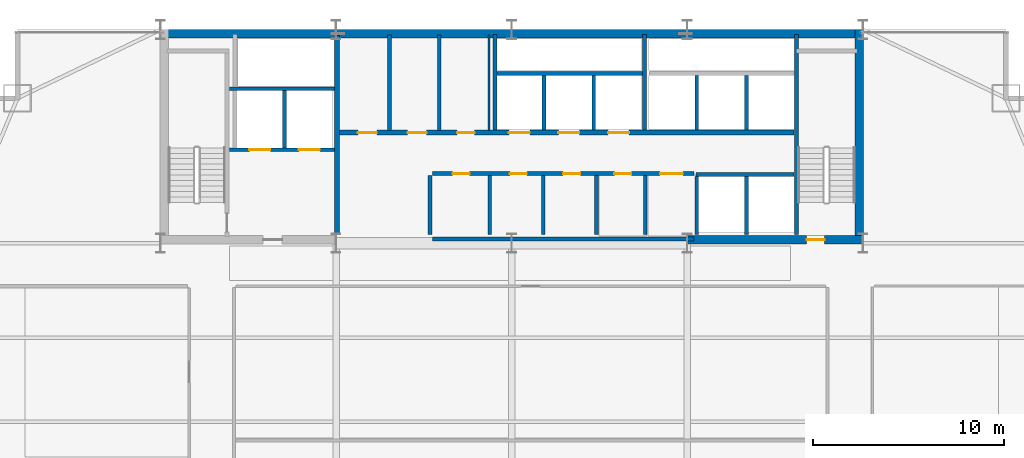
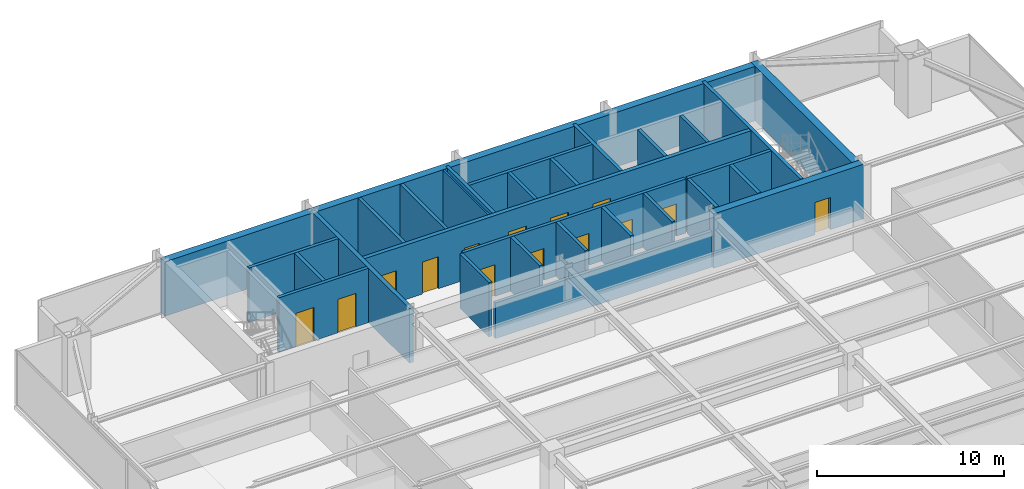
# One storey, part 33 of 36: 29 walls, 14 doors, 14 openings.
"""IFC4 building model written with IfcOpenShell, lengths in metres."""

from ifc_helpers import new_model, si_unit, direction, frame, frame_2d, origin, place, context, subcontext, project, spatial, rectangle, extrude, source, transform, mapped, material, layer, layer_set, type_object, type_shapes, element, fill, save


model = new_model("IFC4")

# Units and contexts
model_context = context("Model", 3, precision=1e-05, world=origin(), true_north=direction((0.0, 1.0)))
body_context = subcontext(model_context, "Body", "Model", "MODEL_VIEW")
ifc_project = project(units=[si_unit("LENGTHUNIT", "METRE"), si_unit("AREAUNIT", "SQUARE_METRE"), si_unit("VOLUMEUNIT", "CUBIC_METRE"), si_unit("PLANEANGLEUNIT", "RADIAN"), si_unit("MASSUNIT", "GRAM", prefix="KILO")], contexts=[model_context])

# Site, building, storey
site_placement = place(None, origin())
site = spatial("IfcSite", under=ifc_project, at=site_placement, CompositionType="ELEMENT")
building_placement = place(site_placement, origin())
building = spatial("IfcBuilding", under=site, at=building_placement, Name="Varnel Quay Broadcast Tower", CompositionType="ELEMENT")
storey_placement = place(building_placement, frame((0.0, 0.0, 114.39990234375)))
storey = spatial("IfcBuildingStorey", under=building, at=storey_placement, Name="L27", CompositionType="ELEMENT", Elevation=114.39990234375)

# Wall, openings, doors
ifc_material_1 = material(Name="Concrete CSA A23.3 C50/60", Category="concrete")
ifc_layer_1 = layer(ifc_material_1, 0.199951171875, Name="Concrete CSA A23.3 C50/60")
ifc_layer_set_1 = layer_set([ifc_layer_1], Name="Concrete CSA A23.3 C50/60")
wall_type_1 = type_object("IfcWallType", Name="Wall_CoreShaftShear200", PredefinedType="SHEAR", material=ifc_layer_set_1)
wall_1_placement = place(storey_placement, frame((19.199951171875, 40.5, 0.0), z_axis=(0.0, 0.0, 1.0), x_axis=(1.0, 0.0, 0.0)))
wall_1 = element("IfcWall", 1, at=wall_1_placement, inside=storey, type_object=wall_type_1, Name="L27 Firefighter Lift Shaft Front Wall", PredefinedType="SHEAR", context=body_context, shape_type="SweptSolid", body=[
    extrude(rectangle(XDim=5.52001953125, YDim=0.199951171875, at=frame_2d((2.760009765625, 0.0))), origin(), (0.0, 0.0, 1.0), 3.550048828125),
])
opening_1_placement = place(wall_1_placement, frame((1.050048828125, 0.0, 0.0)))
opening_1 = element("IfcOpeningElement", 2, at=opening_1_placement, cuts=wall_1, Name="Opening LD-L27-FE1", PredefinedType="OPENING", context=body_context, shape_type="SweptSolid", body=[
    extrude(rectangle(XDim=1.10009765625, YDim=2.179931640625, at=frame_2d((0.550048828125, 1.08984375))), frame((0.0, 0.10986328125, 0.0), z_axis=(0.0, -1.0, 0.0), x_axis=(1.0, 0.0, 0.0)), (0.0, 0.0, 1.0), 0.219970703125),
])
opening_2_placement = place(wall_1_placement, frame((3.64990234375, 0.0, 0.0)))
opening_2 = element("IfcOpeningElement", 3, at=opening_2_placement, cuts=wall_1, Name="Opening LD-L27-FE2", PredefinedType="OPENING", context=body_context, shape_type="SweptSolid", body=[
    extrude(rectangle(XDim=1.10009765625, YDim=2.179931640625, at=frame_2d((0.550048828125, 1.08984375))), frame((0.0, 0.10986328125, 0.0), z_axis=(0.0, -1.0, 0.0), x_axis=(1.0, 0.0, 0.0)), (0.0, 0.0, 1.0), 0.219970703125),
])
ifc_material_2 = material(Name="Brushed Bronze-Stainless Lift Car & Sliding Doors", Category="steel")
door_type_1 = type_object("IfcDoorType", Name="Door_LiftLanding1100", OperationType="SLIDING_TO_LEFT", PredefinedType="DOOR", material=ifc_material_2)
shared_shape_1 = source(origin(), body_context, "Body", "SweptSolid", [
    extrude(rectangle(XDim=1.10009765625, YDim=2.179931640625, at=frame_2d((0.550048828125, 1.08984375))), frame((0.0, 0.02490234375, 0.0), z_axis=(0.0, -1.0, 0.0), x_axis=(1.0, 0.0, 0.0)), (0.0, 0.0, 1.0), 0.050048828125),
])
type_shapes(door_type_1, [shared_shape_1])
door_1_placement = place(opening_1_placement, frame((1.10009765625, 0.0, 0.0), z_axis=(0.0, 0.0, 1.0), x_axis=(-1.0, 0.0, 0.0)))
door_1 = element("IfcDoor", 4, at=door_1_placement, inside=storey, type_object=door_type_1, Name="L27 Firefighter Lift FE-01 Landing Door", OperationType="SLIDING_TO_LEFT", OverallHeight=2.179931640625, OverallWidth=1.10009765625, PredefinedType="DOOR", context=body_context, shape_type="MappedRepresentation", body=[
    mapped(shared_shape_1, transform((0.0, 0.0, 0.0), x_axis=(1.0, 0.0, 0.0), y_axis=(0.0, 1.0, 0.0), z_axis=(0.0, 0.0, 1.0), scale=1.0)),
])
fill(opening_1, door_1)
door_2_placement = place(opening_2_placement, frame((1.10009765625, 0.0, 0.0), z_axis=(0.0, 0.0, 1.0), x_axis=(-1.0, 0.0, 0.0)))
door_2 = element("IfcDoor", 5, at=door_2_placement, inside=storey, type_object=door_type_1, Name="L27 Firefighter Lift FE-02 Landing Door", OperationType="SLIDING_TO_RIGHT", OverallHeight=2.179931640625, OverallWidth=1.10009765625, PredefinedType="DOOR", context=body_context, shape_type="MappedRepresentation", body=[
    mapped(shared_shape_1, transform((0.0, 0.0, 0.0), x_axis=(1.0, 0.0, 0.0), y_axis=(0.0, 1.0, 0.0), z_axis=(0.0, 0.0, 1.0), scale=1.0)),
])
fill(opening_2, door_2)

# Walls
wall_2_placement = place(storey_placement, frame((19.199951171875, 43.699951171875, 0.0), z_axis=(0.0, 0.0, 1.0), x_axis=(1.0, 0.0, 0.0)))
element("IfcWall", 6, at=wall_2_placement, inside=storey, type_object=wall_type_1, Name="L27 Firefighter Lift Shaft Rear Wall", PredefinedType="SHEAR", context=body_context, shape_type="SweptSolid", body=[
    extrude(rectangle(XDim=5.52001953125, YDim=0.199951171875, at=frame_2d((2.760009765625, 0.0))), origin(), (0.0, 0.0, 1.0), 3.550048828125),
])
wall_3_placement = place(storey_placement, frame((22.10009765625, 40.60009765625, 0.0), z_axis=(0.0, 0.0, 1.0), x_axis=(0.0, 1.0, 0.0)))
element("IfcWall", 7, at=wall_3_placement, inside=storey, type_object=wall_type_1, Name="L27 Firefighter Lift Shaft Divider", PredefinedType="SHEAR", context=body_context, shape_type="SweptSolid", body=[
    extrude(rectangle(XDim=3.0, YDim=0.199951171875, at=frame_2d((1.5, 0.0))), origin(), (0.0, 0.0, 1.0), 3.550048828125),
])
wall_4_placement = place(storey_placement, frame((48.919921875, 36.050048828125, 0.0), z_axis=(0.0, 0.0, 1.0), x_axis=(0.0, 1.0, 0.0)))
element("IfcWall", 8, at=wall_4_placement, inside=storey, type_object=wall_type_1, Name="L27 Stair 2 West Structural Wall", PredefinedType="SHEAR", context=body_context, shape_type="SweptSolid", body=[
    extrude(rectangle(XDim=10.5, YDim=0.199951171875, at=frame_2d((5.25, 0.0))), origin(), (0.0, 0.0, 1.0), 3.550048828125),
])
wall_5_placement = place(storey_placement, frame((33.219970703125, 44.5, 0.0), z_axis=(0.0, 0.0, 1.0), x_axis=(1.0, 0.0, 0.0)))
element("IfcWall", 9, at=wall_5_placement, inside=storey, type_object=wall_type_1, Name="L27 Mid-Rise Lift Shaft Rear Wall", PredefinedType="SHEAR", context=body_context, shape_type="SweptSolid", body=[
    extrude(rectangle(XDim=7.630126953125, YDim=0.199951171875, at=frame_2d((3.81494140625, 0.0))), origin(), (0.0, 0.0, 1.0), 3.550048828125),
])
wall_6_placement = place(storey_placement, frame((33.1201171875, 41.530029296875, 0.0), z_axis=(0.0, 0.0, 1.0), x_axis=(0.0, 1.0, 0.0)))
element("IfcWall", 10, at=wall_6_placement, inside=storey, type_object=wall_type_1, Name="L27 Mid-Rise Lift Shaft Divider 1", PredefinedType="SHEAR", context=body_context, shape_type="SweptSolid", body=[
    extrude(rectangle(XDim=5.02001953125, YDim=0.199951171875, at=frame_2d((2.510009765625, 0.0))), origin(), (0.0, 0.0, 1.0), 3.550048828125),
])
for number, where, z_axis, x_axis, name in (
    (11, (35.699951171875, 41.530029296875, 0.0), (0.0, 0.0, 1.0), (0.0, 1.0, 0.0), "L27 Mid-Rise Lift Shaft Divider 2"),
    (12, (38.300048828125, 41.530029296875, 0.0), (0.0, 0.0, 1.0), (0.0, 1.0, 0.0), "L27 Mid-Rise Lift Shaft Divider 3"),
):
    element("IfcWall", number, at=place(storey_placement, frame(where, z_axis=z_axis, x_axis=x_axis)), inside=storey, type_object=wall_type_1, Name=name, PredefinedType="SHEAR", context=body_context, shape_type="SweptSolid", body=[
        extrude(rectangle(XDim=2.869873046875, YDim=0.199951171875, at=frame_2d((1.43505859375, 0.0))), origin(), (0.0, 0.0, 1.0), 3.550048828125),
    ])
wall_7_placement = place(storey_placement, frame((40.949951171875, 41.530029296875, 0.0), z_axis=(0.0, 0.0, 1.0), x_axis=(0.0, 1.0, 0.0)))
element("IfcWall", 13, at=wall_7_placement, inside=storey, type_object=wall_type_1, Name="L27 Mid-Rise Lift Shaft Divider 4", PredefinedType="SHEAR", context=body_context, shape_type="SweptSolid", body=[
    extrude(rectangle(XDim=5.02001953125, YDim=0.199951171875, at=frame_2d((2.510009765625, 0.0))), origin(), (0.0, 0.0, 1.0), 3.550048828125),
])
for number, where, z_axis, x_axis, name in (
    (14, (43.699951171875, 41.530029296875, 0.0), (0.0, 0.0, 1.0), (0.0, 1.0, 0.0), "L27 High-Rise Lift Shaft Divider 2"),
    (15, (46.300048828125, 41.530029296875, 0.0), (0.0, 0.0, 1.0), (0.0, 1.0, 0.0), "L27 High-Rise Lift Shaft Divider 3"),
):
    element("IfcWall", number, at=place(storey_placement, frame(where, z_axis=z_axis, x_axis=x_axis)), inside=storey, type_object=wall_type_1, Name=name, PredefinedType="SHEAR", context=body_context, shape_type="SweptSolid", body=[
        extrude(rectangle(XDim=2.869873046875, YDim=0.199951171875, at=frame_2d((1.43505859375, 0.0))), origin(), (0.0, 0.0, 1.0), 3.550048828125),
    ])
for number, where, z_axis, x_axis, name in (
    (16, (43.699951171875, 36.050048828125, 0.0), (0.0, 0.0, 1.0), (0.0, 1.0, 0.0), "L27 Express Lift Shaft West Wall"),
    (17, (46.300048828125, 36.050048828125, 0.0), (0.0, 0.0, 1.0), (0.0, 1.0, 0.0), "L27 Express Lift Shaft Divider"),
):
    element("IfcWall", number, at=place(storey_placement, frame(where, z_axis=z_axis, x_axis=x_axis)), inside=storey, type_object=wall_type_1, Name=name, PredefinedType="SHEAR", context=body_context, shape_type="SweptSolid", body=[
        extrude(rectangle(XDim=3.050048828125, YDim=0.199951171875, at=frame_2d((1.52490234375, 0.0))), origin(), (0.0, 0.0, 1.0), 3.550048828125),
    ])
wall_8_placement = place(storey_placement, frame((43.64990234375, 39.199951171875, 0.0), z_axis=(0.0, 0.0, 1.0), x_axis=(1.0, 0.0, 0.0)))
element("IfcWall", 18, at=wall_8_placement, inside=storey, type_object=wall_type_1, Name="L27 Express Lift Shaft North Front Wall", PredefinedType="SHEAR", context=body_context, shape_type="SweptSolid", body=[
    extrude(rectangle(XDim=5.150146484375, YDim=0.199951171875, at=frame_2d((2.5751953125, 0.0))), origin(), (0.0, 0.0, 1.0), 3.550048828125),
])
ifc_layer_2 = layer(ifc_material_1, 0.25, Name="Concrete CSA A23.3 C50/60")
ifc_layer_set_2 = layer_set([ifc_layer_2], Name="Concrete CSA A23.3 C50/60")
wall_type_2 = type_object("IfcWallType", Name="Wall_CoreShaftShear250", PredefinedType="SHEAR", material=ifc_layer_set_2)
wall_9_placement = place(storey_placement, frame((24.85009765625, 36.050048828125, 0.0), z_axis=(0.0, 0.0, 1.0), x_axis=(0.0, 1.0, 0.0)))
element("IfcWall", 19, at=wall_9_placement, inside=storey, type_object=wall_type_2, Name="L27 Firefighting Lobby East Structural Wall", PredefinedType="SHEAR", context=body_context, shape_type="SweptSolid", body=[
    extrude(rectangle(XDim=10.449951171875, YDim=0.25, at=frame_2d((5.22509765625, 0.0))), origin(), (0.0, 0.0, 1.0), 3.550048828125),
])

# Wall, openings, doors
wall_10_placement = place(storey_placement, frame((24.97998046875, 41.39990234375, 0.0), z_axis=(0.0, 0.0, 1.0), x_axis=(1.0, 0.0, 0.0)))
wall_10 = element("IfcWall", 20, at=wall_10_placement, inside=storey, type_object=wall_type_2, Name="L27 North Lift Bank & Reclaimed Suite Wall", PredefinedType="SHEAR", context=body_context, shape_type="SweptSolid", body=[
    extrude(rectangle(XDim=23.820068359375, YDim=0.25, at=frame_2d((11.91015625, 0.0))), origin(), (0.0, 0.0, 1.0), 3.550048828125),
])
opening_3_placement = place(wall_10_placement, frame((8.8701171875, 0.0, 0.0)))
opening_3 = element("IfcOpeningElement", 21, at=opening_3_placement, cuts=wall_10, Name="Opening LD-L27-PM-01", PredefinedType="OPENING", context=body_context, shape_type="SweptSolid", body=[
    extrude(rectangle(XDim=1.10009765625, YDim=2.179931640625, at=frame_2d((0.550048828125, 1.08984375))), frame((0.0, 0.135009765625, 0.0), z_axis=(0.0, -1.0, 0.0), x_axis=(1.0, 0.0, 0.0)), (0.0, 0.0, 1.0), 0.27001953125),
])
opening_4_placement = place(wall_10_placement, frame((11.469970703125, 0.0, 0.0)))
opening_4 = element("IfcOpeningElement", 22, at=opening_4_placement, cuts=wall_10, Name="Opening LD-L27-PM-02", PredefinedType="OPENING", context=body_context, shape_type="SweptSolid", body=[
    extrude(rectangle(XDim=1.10009765625, YDim=2.179931640625, at=frame_2d((0.550048828125, 1.08984375))), frame((0.0, 0.135009765625, 0.0), z_axis=(0.0, -1.0, 0.0), x_axis=(1.0, 0.0, 0.0)), (0.0, 0.0, 1.0), 0.27001953125),
])
opening_5_placement = place(wall_10_placement, frame((14.070068359375, 0.0, 0.0)))
opening_5 = element("IfcOpeningElement", 23, at=opening_5_placement, cuts=wall_10, Name="Opening LD-L27-PM-03", PredefinedType="OPENING", context=body_context, shape_type="SweptSolid", body=[
    extrude(rectangle(XDim=1.10009765625, YDim=2.179931640625, at=frame_2d((0.550048828125, 1.08984375))), frame((0.0, 0.135009765625, 0.0), z_axis=(0.0, -1.0, 0.0), x_axis=(1.0, 0.0, 0.0)), (0.0, 0.0, 1.0), 0.27001953125),
])
opening_6_placement = place(wall_10_placement, frame((0.9599609375, 0.0, 0.0)))
opening_6 = element("IfcOpeningElement", 24, at=opening_6_placement, cuts=wall_10, Name="Opening D-L27-RECA1", PredefinedType="OPENING", context=body_context, shape_type="SweptSolid", body=[
    extrude(rectangle(XDim=1.0, YDim=2.080078125, at=frame_2d((0.5, 1.0400390625))), frame((0.0, 0.135009765625, 0.0), z_axis=(0.0, -1.0, 0.0), x_axis=(1.0, 0.0, 0.0)), (0.0, 0.0, 1.0), 0.27001953125),
])
opening_7_placement = place(wall_10_placement, frame((3.56005859375, 0.0, 0.0)))
opening_7 = element("IfcOpeningElement", 25, at=opening_7_placement, cuts=wall_10, Name="Opening D-L27-RECA2", PredefinedType="OPENING", context=body_context, shape_type="SweptSolid", body=[
    extrude(rectangle(XDim=1.0, YDim=2.080078125, at=frame_2d((0.5, 1.0400390625))), frame((0.0, 0.135009765625, 0.0), z_axis=(0.0, -1.0, 0.0), x_axis=(1.0, 0.0, 0.0)), (0.0, 0.0, 1.0), 0.27001953125),
])
opening_8_placement = place(wall_10_placement, frame((6.159912109375, 0.0, 0.0)))
opening_8 = element("IfcOpeningElement", 26, at=opening_8_placement, cuts=wall_10, Name="Opening D-L27-RECA3", PredefinedType="OPENING", context=body_context, shape_type="SweptSolid", body=[
    extrude(rectangle(XDim=0.919921875, YDim=2.080078125, at=frame_2d((0.4599609375, 1.0400390625))), frame((0.0, 0.135009765625, 0.0), z_axis=(0.0, -1.0, 0.0), x_axis=(1.0, 0.0, 0.0)), (0.0, 0.0, 1.0), 0.27001953125),
])
door_3_placement = place(opening_3_placement, frame((1.10009765625, 0.0, 0.0), z_axis=(0.0, 0.0, 1.0), x_axis=(-1.0, 0.0, 0.0)))
door_3 = element("IfcDoor", 27, at=door_3_placement, inside=storey, type_object=door_type_1, Name="L27 Lift PM-01 Landing Door", OperationType="SLIDING_TO_LEFT", OverallHeight=2.179931640625, OverallWidth=1.10009765625, PredefinedType="DOOR", context=body_context, shape_type="MappedRepresentation", body=[
    mapped(shared_shape_1, transform((0.0, 0.0, 0.0), x_axis=(1.0, 0.0, 0.0), y_axis=(0.0, 1.0, 0.0), z_axis=(0.0, 0.0, 1.0), scale=1.0)),
])
fill(opening_3, door_3)
door_4_placement = place(opening_4_placement, frame((1.10009765625, 0.0, 0.0), z_axis=(0.0, 0.0, 1.0), x_axis=(-1.0, 0.0, 0.0)))
door_4 = element("IfcDoor", 28, at=door_4_placement, inside=storey, type_object=door_type_1, Name="L27 Lift PM-02 Landing Door", OperationType="SLIDING_TO_LEFT", OverallHeight=2.179931640625, OverallWidth=1.10009765625, PredefinedType="DOOR", context=body_context, shape_type="MappedRepresentation", body=[
    mapped(shared_shape_1, transform((0.0, 0.0, 0.0), x_axis=(1.0, 0.0, 0.0), y_axis=(0.0, 1.0, 0.0), z_axis=(0.0, 0.0, 1.0), scale=1.0)),
])
fill(opening_4, door_4)
door_5_placement = place(opening_5_placement, frame((1.10009765625, 0.0, 0.0), z_axis=(0.0, 0.0, 1.0), x_axis=(-1.0, 0.0, 0.0)))
door_5 = element("IfcDoor", 29, at=door_5_placement, inside=storey, type_object=door_type_1, Name="L27 Lift PM-03 Landing Door", OperationType="SLIDING_TO_LEFT", OverallHeight=2.179931640625, OverallWidth=1.10009765625, PredefinedType="DOOR", context=body_context, shape_type="MappedRepresentation", body=[
    mapped(shared_shape_1, transform((0.0, 0.0, 0.0), x_axis=(1.0, 0.0, 0.0), y_axis=(0.0, 1.0, 0.0), z_axis=(0.0, 0.0, 1.0), scale=1.0)),
])
fill(opening_5, door_5)
ifc_material_3 = material(Name="Insulated Fire-Rated Hollow Steel Door", Category="steel")
door_type_2 = type_object("IfcDoorType", Name="Door_FireLobby1000", OperationType="NOTDEFINED", PredefinedType="DOOR", material=ifc_material_3)
shared_shape_2 = source(origin(), body_context, "Body", "SweptSolid", [
    extrude(rectangle(XDim=1.0, YDim=2.080078125, at=frame_2d((0.5, 1.0400390625))), frame((0.0, 0.02490234375, 0.0), z_axis=(0.0, -1.0, 0.0), x_axis=(1.0, 0.0, 0.0)), (0.0, 0.0, 1.0), 0.050048828125),
])
type_shapes(door_type_2, [shared_shape_2])
door_6_placement = place(opening_6_placement, origin())
door_6 = element("IfcDoor", 30, at=door_6_placement, inside=storey, type_object=door_type_2, Name="L27 Ingest Rack Bay A Door", OperationType="SINGLE_SWING_RIGHT", OverallHeight=2.080078125, OverallWidth=1.0, PredefinedType="DOOR", context=body_context, shape_type="MappedRepresentation", body=[
    mapped(shared_shape_2, transform((0.0, 0.0, 0.0), x_axis=(1.0, 0.0, 0.0), y_axis=(0.0, 1.0, 0.0), z_axis=(0.0, 0.0, 1.0), scale=1.0)),
])
fill(opening_6, door_6)
door_7_placement = place(opening_7_placement, origin())
door_7 = element("IfcDoor", 31, at=door_7_placement, inside=storey, type_object=door_type_2, Name="L27 Fiber Patch Bay Door", OperationType="SINGLE_SWING_LEFT", OverallHeight=2.080078125, OverallWidth=1.0, PredefinedType="DOOR", context=body_context, shape_type="MappedRepresentation", body=[
    mapped(shared_shape_2, transform((0.0, 0.0, 0.0), x_axis=(1.0, 0.0, 0.0), y_axis=(0.0, 1.0, 0.0), z_axis=(0.0, 0.0, 1.0), scale=1.0)),
])
fill(opening_7, door_7)
ifc_material_4 = material(Name="Solid-Core Fire-Rated Acoustic Oak Veneer Door", Category="wood")
door_type_3 = type_object("IfcDoorType", Name="Door_Office920", OperationType="NOTDEFINED", PredefinedType="DOOR", material=ifc_material_4)
shared_shape_3 = source(origin(), body_context, "Body", "SweptSolid", [
    extrude(rectangle(XDim=0.919921875, YDim=2.080078125, at=frame_2d((0.4599609375, 1.0400390625))), frame((0.0, 0.02490234375, 0.0), z_axis=(0.0, -1.0, 0.0), x_axis=(1.0, 0.0, 0.0)), (0.0, 0.0, 1.0), 0.050048828125),
])
type_shapes(door_type_3, [shared_shape_3])
door_8_placement = place(opening_8_placement, origin())
door_8 = element("IfcDoor", 32, at=door_8_placement, inside=storey, type_object=door_type_3, Name="L27 Telemetry Store Door", OperationType="SINGLE_SWING_RIGHT", OverallHeight=2.080078125, OverallWidth=0.919921875, PredefinedType="DOOR", context=body_context, shape_type="MappedRepresentation", body=[
    mapped(shared_shape_3, transform((0.0, 0.0, 0.0), x_axis=(1.0, 0.0, 0.0), y_axis=(0.0, 1.0, 0.0), z_axis=(0.0, 0.0, 1.0), scale=1.0)),
])
fill(opening_8, door_8)

# Walls
ifc_material_5 = material(Name="Concrete CSA A23.3 C60/75", Category="concrete")
ifc_layer_3 = layer(ifc_material_5, 0.449951171875, Name="Concrete CSA A23.3 C60/75")
ifc_layer_set_3 = layer_set([ifc_layer_3], Name="Concrete CSA A23.3 C60/75")
wall_type_3 = type_object("IfcWallType", Name="Wall_CoreShearExt450", PredefinedType="SHEAR", material=ifc_layer_set_3)
wall_11_placement = place(storey_placement, frame((15.60009765625, 46.574951171875, 0.0), z_axis=(0.0, 0.0, 1.0), x_axis=(1.0, 0.0, 0.0)))
element("IfcWall", 33, at=wall_11_placement, inside=storey, type_object=wall_type_3, Name="L27 North Core Shear Wall", PredefinedType="SHEAR", context=body_context, shape_type="SweptSolid", body=[
    extrude(rectangle(XDim=36.7998046875, YDim=0.449951171875, at=frame_2d((18.39990234375, 0.0))), origin(), (0.0, 0.0, 1.0), 3.550048828125),
])
ifc_layer_4 = layer(ifc_material_5, 0.449951171875, Name="Concrete CSA A23.3 C60/75")
ifc_layer_set_4 = layer_set([ifc_layer_4], Name="Concrete CSA A23.3 C60/75")
wall_type_4 = type_object("IfcWallType", Name="Wall_CoreShearInt450", PredefinedType="SHEAR", material=ifc_layer_set_4)
wall_12_placement = place(storey_placement, frame((52.205078125, 35.570068359375, 0.0), z_axis=(0.0, 0.0, 1.0), x_axis=(0.0, 1.0, 0.0)))
element("IfcWall", 34, at=wall_12_placement, inside=storey, type_object=wall_type_4, Name="L27 East Core Shear Wall", PredefinedType="SHEAR", context=body_context, shape_type="SweptSolid", body=[
    extrude(rectangle(XDim=11.22998046875, YDim=0.449951171875, at=frame_2d((5.614990234375, 0.0))), origin(), (0.0, 0.0, 1.0), 3.550048828125),
])

# Wall, opening, door
wall_13_placement = place(storey_placement, frame((43.199951171875, 35.794921875, 0.0), z_axis=(0.0, 0.0, 1.0), x_axis=(1.0, 0.0, 0.0)))
wall_13 = element("IfcWall", 35, at=wall_13_placement, inside=storey, type_object=wall_type_4, Name="L27 South-East Core Shear Wall", PredefinedType="SHEAR", context=body_context, shape_type="SweptSolid", body=[
    extrude(rectangle(XDim=9.22998046875, YDim=0.449951171875, at=frame_2d((4.614990234375, 0.0))), origin(), (0.0, 0.0, 1.0), 3.550048828125),
])
opening_9_placement = place(wall_13_placement, frame((6.25, 0.0, 0.0)))
opening_9 = element("IfcOpeningElement", 36, at=opening_9_placement, cuts=wall_13, Name="Opening D-L27-S2", PredefinedType="OPENING", context=body_context, shape_type="SweptSolid", body=[
    extrude(rectangle(XDim=0.949951171875, YDim=2.10009765625, at=frame_2d((0.47509765625, 1.050048828125))), frame((0.0, 0.23486328125, 0.0), z_axis=(0.0, -1.0, 0.0), x_axis=(1.0, 0.0, 0.0)), (0.0, 0.0, 1.0), 0.469970703125),
])
door_type_4 = type_object("IfcDoorType", Name="Door_FireStair950", OperationType="NOTDEFINED", PredefinedType="DOOR", material=ifc_material_3)
shared_shape_4 = source(origin(), body_context, "Body", "SweptSolid", [
    extrude(rectangle(XDim=0.949951171875, YDim=2.10009765625, at=frame_2d((0.47509765625, 1.050048828125))), frame((0.0, 0.02490234375, 0.0), z_axis=(0.0, -1.0, 0.0), x_axis=(1.0, 0.0, 0.0)), (0.0, 0.0, 1.0), 0.050048828125),
])
type_shapes(door_type_4, [shared_shape_4])
door_9_placement = place(opening_9_placement, origin())
door_9 = element("IfcDoor", 37, at=door_9_placement, inside=storey, type_object=door_type_4, Name="L27 Stair 2 Fire Door", OperationType="SINGLE_SWING_LEFT", OverallHeight=2.10009765625, OverallWidth=0.949951171875, PredefinedType="DOOR", context=body_context, shape_type="MappedRepresentation", body=[
    mapped(shared_shape_4, transform((0.0, 0.0, 0.0), x_axis=(1.0, 0.0, 0.0), y_axis=(0.0, 1.0, 0.0), z_axis=(0.0, 0.0, 1.0), scale=1.0)),
])
fill(opening_9, door_9)

# Wall
ifc_material_6 = material(Name="Concrete Blockwork Fire Enclosure C40/50", Category="masonry")
ifc_layer_5 = layer(ifc_material_6, 0.199951171875, Name="Concrete Blockwork Fire Enclosure C40/50")
ifc_layer_set_5 = layer_set([ifc_layer_5], Name="Concrete Blockwork Fire Enclosure C40/50")
wall_type_5 = type_object("IfcWallType", Name="Wall_FireShaft200", PredefinedType="SOLIDWALL", material=ifc_layer_set_5)
wall_14_placement = place(storey_placement, frame((29.85009765625, 35.824951171875, 0.0), z_axis=(0.0, 0.0, 1.0), x_axis=(1.0, 0.0, 0.0)))
element("IfcWall", 38, at=wall_14_placement, inside=storey, type_object=wall_type_5, Name="L27 Accessible Washroom Partition 1", PredefinedType="SOLIDWALL", context=body_context, shape_type="SweptSolid", body=[
    extrude(rectangle(XDim=13.699951171875, YDim=0.199951171875, at=frame_2d((6.85009765625, 0.0))), origin(), (0.0, 0.0, 1.0), 2.3251953125),
])

# Wall, openings, doors
wall_15_placement = place(storey_placement, frame((29.85009765625, 39.25, 0.0), z_axis=(0.0, 0.0, 1.0), x_axis=(1.0, 0.0, 0.0)))
wall_15 = element("IfcWall", 39, at=wall_15_placement, inside=storey, type_object=wall_type_5, Name="L27 Accessible Washroom Partition 3", PredefinedType="SOLIDWALL", context=body_context, shape_type="SweptSolid", body=[
    extrude(rectangle(XDim=13.699951171875, YDim=0.199951171875, at=frame_2d((6.85009765625, 0.0))), origin(), (0.0, 0.0, 1.0), 3.530029296875),
])
opening_10_placement = place(wall_15_placement, frame((1.050048828125, 0.0, 0.0)))
opening_10 = element("IfcOpeningElement", 40, at=opening_10_placement, cuts=wall_15, Name="Opening D-L27-01", PredefinedType="OPENING", context=body_context, shape_type="SweptSolid", body=[
    extrude(rectangle(XDim=0.89990234375, YDim=2.06005859375, at=frame_2d((0.449951171875, 1.030029296875))), frame((0.0, 0.10986328125, 0.0), z_axis=(0.0, -1.0, 0.0), x_axis=(1.0, 0.0, 0.0)), (0.0, 0.0, 1.0), 0.219970703125),
])
opening_11_placement = place(wall_15_placement, frame((4.050048828125, 0.0, 0.0)))
opening_11 = element("IfcOpeningElement", 41, at=opening_11_placement, cuts=wall_15, Name="Opening D-L27-02", PredefinedType="OPENING", context=body_context, shape_type="SweptSolid", body=[
    extrude(rectangle(XDim=0.89990234375, YDim=2.06005859375, at=frame_2d((0.449951171875, 1.030029296875))), frame((0.0, 0.10986328125, 0.0), z_axis=(0.0, -1.0, 0.0), x_axis=(1.0, 0.0, 0.0)), (0.0, 0.0, 1.0), 0.219970703125),
])
opening_12_placement = place(wall_15_placement, frame((6.85009765625, 0.0, 0.0)))
opening_12 = element("IfcOpeningElement", 42, at=opening_12_placement, cuts=wall_15, Name="Opening D-L27-03", PredefinedType="OPENING", context=body_context, shape_type="SweptSolid", body=[
    extrude(rectangle(XDim=0.89990234375, YDim=2.06005859375, at=frame_2d((0.449951171875, 1.030029296875))), frame((0.0, 0.10986328125, 0.0), z_axis=(0.0, -1.0, 0.0), x_axis=(1.0, 0.0, 0.0)), (0.0, 0.0, 1.0), 0.219970703125),
])
opening_13_placement = place(wall_15_placement, frame((9.534912109375, 0.0, 0.0)))
opening_13 = element("IfcOpeningElement", 43, at=opening_13_placement, cuts=wall_15, Name="Opening D-L27-04", PredefinedType="OPENING", context=body_context, shape_type="SweptSolid", body=[
    extrude(rectangle(XDim=0.8798828125, YDim=2.06005859375, at=frame_2d((0.43994140625, 1.030029296875))), frame((0.0, 0.10986328125, 0.0), z_axis=(0.0, -1.0, 0.0), x_axis=(1.0, 0.0, 0.0)), (0.0, 0.0, 1.0), 0.219970703125),
])
opening_14_placement = place(wall_15_placement, frame((11.925048828125, 0.0, 0.0)))
opening_14 = element("IfcOpeningElement", 44, at=opening_14_placement, cuts=wall_15, Name="Opening D-L27-05", PredefinedType="OPENING", context=body_context, shape_type="SweptSolid", body=[
    extrude(rectangle(XDim=1.199951171875, YDim=2.10009765625, at=frame_2d((0.60009765625, 1.050048828125))), frame((0.0, 0.10986328125, 0.0), z_axis=(0.0, -1.0, 0.0), x_axis=(1.0, 0.0, 0.0)), (0.0, 0.0, 1.0), 0.219970703125),
])
door_type_5 = type_object("IfcDoorType", Name="Door_Washroom900", OperationType="NOTDEFINED", PredefinedType="DOOR", material=ifc_material_4)
shared_shape_5 = source(origin(), body_context, "Body", "SweptSolid", [
    extrude(rectangle(XDim=0.89990234375, YDim=2.06005859375, at=frame_2d((0.449951171875, 1.030029296875))), frame((0.0, 0.02490234375, 0.0), z_axis=(0.0, -1.0, 0.0), x_axis=(1.0, 0.0, 0.0)), (0.0, 0.0, 1.0), 0.050048828125),
])
type_shapes(door_type_5, [shared_shape_5])
door_10_placement = place(opening_10_placement, frame((0.89990234375, 0.0, 0.0), z_axis=(0.0, 0.0, 1.0), x_axis=(-1.0, 0.0, 0.0)))
door_10 = element("IfcDoor", 45, at=door_10_placement, inside=storey, type_object=door_type_5, Name="L27 Accessible Washroom Door D-L27-01", OperationType="SINGLE_SWING_LEFT", OverallHeight=2.06005859375, OverallWidth=0.89990234375, PredefinedType="DOOR", context=body_context, shape_type="MappedRepresentation", body=[
    mapped(shared_shape_5, transform((0.0, 0.0, 0.0), x_axis=(1.0, 0.0, 0.0), y_axis=(0.0, 1.0, 0.0), z_axis=(0.0, 0.0, 1.0), scale=1.0)),
])
fill(opening_10, door_10)
door_11_placement = place(opening_11_placement, frame((0.89990234375, 0.0, 0.0), z_axis=(0.0, 0.0, 1.0), x_axis=(-1.0, 0.0, 0.0)))
door_11 = element("IfcDoor", 46, at=door_11_placement, inside=storey, type_object=door_type_5, Name="L27 West Gender-Neutral Washroom Door D-L27-02", OperationType="SINGLE_SWING_RIGHT", OverallHeight=2.06005859375, OverallWidth=0.89990234375, PredefinedType="DOOR", context=body_context, shape_type="MappedRepresentation", body=[
    mapped(shared_shape_5, transform((0.0, 0.0, 0.0), x_axis=(1.0, 0.0, 0.0), y_axis=(0.0, 1.0, 0.0), z_axis=(0.0, 0.0, 1.0), scale=1.0)),
])
fill(opening_11, door_11)
door_12_placement = place(opening_12_placement, frame((0.89990234375, 0.0, 0.0), z_axis=(0.0, 0.0, 1.0), x_axis=(-1.0, 0.0, 0.0)))
door_12 = element("IfcDoor", 47, at=door_12_placement, inside=storey, type_object=door_type_5, Name="L27 East Staff Washroom Door D-L27-03", OperationType="SINGLE_SWING_LEFT", OverallHeight=2.06005859375, OverallWidth=0.89990234375, PredefinedType="DOOR", context=body_context, shape_type="MappedRepresentation", body=[
    mapped(shared_shape_5, transform((0.0, 0.0, 0.0), x_axis=(1.0, 0.0, 0.0), y_axis=(0.0, 1.0, 0.0), z_axis=(0.0, 0.0, 1.0), scale=1.0)),
])
fill(opening_12, door_12)
door_type_6 = type_object("IfcDoorType", Name="Door_Plant1200", OperationType="NOTDEFINED", PredefinedType="DOOR", material=ifc_material_3)
shared_shape_6 = source(origin(), body_context, "Body", "SweptSolid", [
    extrude(rectangle(XDim=1.199951171875, YDim=2.10009765625, at=frame_2d((0.60009765625, 1.050048828125))), frame((0.0, 0.02490234375, 0.0), z_axis=(0.0, -1.0, 0.0), x_axis=(1.0, 0.0, 0.0)), (0.0, 0.0, 1.0), 0.050048828125),
])
type_shapes(door_type_6, [shared_shape_6])
door_13_placement = place(opening_14_placement, origin())
door_13 = element("IfcDoor", 48, at=door_13_placement, inside=storey, type_object=door_type_6, Name="L27 Telecom IDF Closet Door D-L27-05", OperationType="SINGLE_SWING_LEFT", OverallHeight=2.10009765625, OverallWidth=1.199951171875, PredefinedType="DOOR", context=body_context, shape_type="MappedRepresentation", body=[
    mapped(shared_shape_6, transform((0.0, 0.0, 0.0), x_axis=(1.0, 0.0, 0.0), y_axis=(0.0, 1.0, 0.0), z_axis=(0.0, 0.0, 1.0), scale=1.0)),
])
fill(opening_14, door_13)
door_type_7 = type_object("IfcDoorType", Name="Door_Booth880", OperationType="NOTDEFINED", PredefinedType="DOOR", material=ifc_material_4)
shared_shape_7 = source(origin(), body_context, "Body", "SweptSolid", [
    extrude(rectangle(XDim=0.8798828125, YDim=2.06005859375, at=frame_2d((0.43994140625, 1.030029296875))), frame((0.0, 0.02490234375, 0.0), z_axis=(0.0, -1.0, 0.0), x_axis=(1.0, 0.0, 0.0)), (0.0, 0.0, 1.0), 0.050048828125),
])
type_shapes(door_type_7, [shared_shape_7])
door_14_placement = place(opening_13_placement, frame((0.8798828125, 0.0, 0.0), z_axis=(0.0, 0.0, 1.0), x_axis=(-1.0, 0.0, 0.0)))
door_14 = element("IfcDoor", 49, at=door_14_placement, inside=storey, type_object=door_type_7, Name="L27 Cleaners' & Linen Store Door D-L27-04", OperationType="SINGLE_SWING_RIGHT", OverallHeight=2.06005859375, OverallWidth=0.8798828125, PredefinedType="DOOR", context=body_context, shape_type="MappedRepresentation", body=[
    mapped(shared_shape_7, transform((0.0, 0.0, 0.0), x_axis=(1.0, 0.0, 0.0), y_axis=(0.0, 1.0, 0.0), z_axis=(0.0, 0.0, 1.0), scale=1.0)),
])
fill(opening_13, door_14)

# Walls
wall_16_placement = place(storey_placement, frame((41.0, 36.050048828125, 0.0), z_axis=(0.0, 0.0, 1.0), x_axis=(0.0, 1.0, 0.0)))
element("IfcWall", 50, at=wall_16_placement, inside=storey, type_object=wall_type_5, Name="L27 Cleaners' & Linen Store Partition 7", PredefinedType="SOLIDWALL", context=body_context, shape_type="SweptSolid", body=[
    extrude(rectangle(XDim=3.099853515625, YDim=0.199951171875, at=frame_2d((1.5498046875, 0.0))), origin(), (0.0, 0.0, 1.0), 3.530029296875),
])
for number, where, z_axis, x_axis, name in (
    (51, (27.60009765625, 41.5, 0.0), (0.0, 0.0, 1.0), (0.0, 1.0, 0.0), "L27 Ingest Rack Bay A Partition 21"),
    (52, (30.199951171875, 41.5, 0.0), (0.0, 0.0, 1.0), (0.0, 1.0, 0.0), "L27 Fiber Patch Bay Partition 22"),
):
    element("IfcWall", number, at=place(storey_placement, frame(where, z_axis=z_axis, x_axis=x_axis)), inside=storey, type_object=wall_type_5, Name=name, PredefinedType="SOLIDWALL", context=body_context, shape_type="SweptSolid", body=[
        extrude(rectangle(XDim=5.02001953125, YDim=0.199951171875, at=frame_2d((2.510009765625, 0.0))), origin(), (0.0, 0.0, 1.0), 3.530029296875),
    ])
ifc_material_7 = material(Name="Steel-Stud Fire-Rated Acoustic Gypsum Partition Assembly", Category="steel")
ifc_layer_6 = layer(ifc_material_7, 0.10498046875, Name="Steel-Stud Fire-Rated Acoustic Gypsum Partition Assembly")
ifc_layer_set_6 = layer_set([ifc_layer_6], Name="Steel-Stud Fire-Rated Acoustic Gypsum Partition Assembly")
wall_type_6 = type_object("IfcWallType", Name="Wall_Partition105", PredefinedType="PARTITIONING", material=ifc_layer_set_6)
wall_17_placement = place(storey_placement, frame((32.800048828125, 41.5, 0.0), z_axis=(0.0, 0.0, 1.0), x_axis=(0.0, 1.0, 0.0)))
element("IfcWall", 53, at=wall_17_placement, inside=storey, type_object=wall_type_6, Name="L27 Telemetry Store Partition 23", PredefinedType="PARTITIONING", context=body_context, shape_type="SweptSolid", body=[
    extrude(rectangle(XDim=5.02001953125, YDim=0.10498046875, at=frame_2d((2.510009765625, 0.0))), origin(), (0.0, 0.0, 1.0), 3.530029296875),
])
ifc_material_8 = material(Name="Fire-Rated Moisture-Resistant Plumbing Chase Partition")
ifc_layer_7 = layer(ifc_material_8, 0.199951171875, Name="Fire-Rated Moisture-Resistant Plumbing Chase Partition")
ifc_layer_set_7 = layer_set([ifc_layer_7], Name="Fire-Rated Moisture-Resistant Plumbing Chase Partition")
wall_type_7 = type_object("IfcWallType", Name="Wall_Plumbing200", PredefinedType="PLUMBINGWALL", material=ifc_layer_set_7)
for number, where, z_axis, x_axis, name in (
    (54, (32.85009765625, 36.050048828125, 0.0), (0.0, 0.0, 1.0), (0.0, 1.0, 0.0), "L27 Accessible Washroom Partition 2"),
    (55, (29.72509765625, 36.050048828125, 0.0), (0.0, 0.0, 1.0), (0.0, 1.0, 0.0), "L27 Accessible Washroom Partition 4"),
    (56, (35.64990234375, 36.050048828125, 0.0), (0.0, 0.0, 1.0), (0.0, 1.0, 0.0), "L27 West Gender-Neutral Washroom Partition 5"),
    (57, (38.449951171875, 36.050048828125, 0.0), (0.0, 0.0, 1.0), (0.0, 1.0, 0.0), "L27 East Staff Washroom Partition 6"),
):
    element("IfcWall", number, at=place(storey_placement, frame(where, z_axis=z_axis, x_axis=x_axis)), inside=storey, type_object=wall_type_7, Name=name, PredefinedType="PLUMBINGWALL", context=body_context, shape_type="SweptSolid", body=[
        extrude(rectangle(XDim=3.099853515625, YDim=0.199951171875, at=frame_2d((1.5498046875, 0.0))), origin(), (0.0, 0.0, 1.0), 3.530029296875),
    ])

save(model, "model.ifc")
